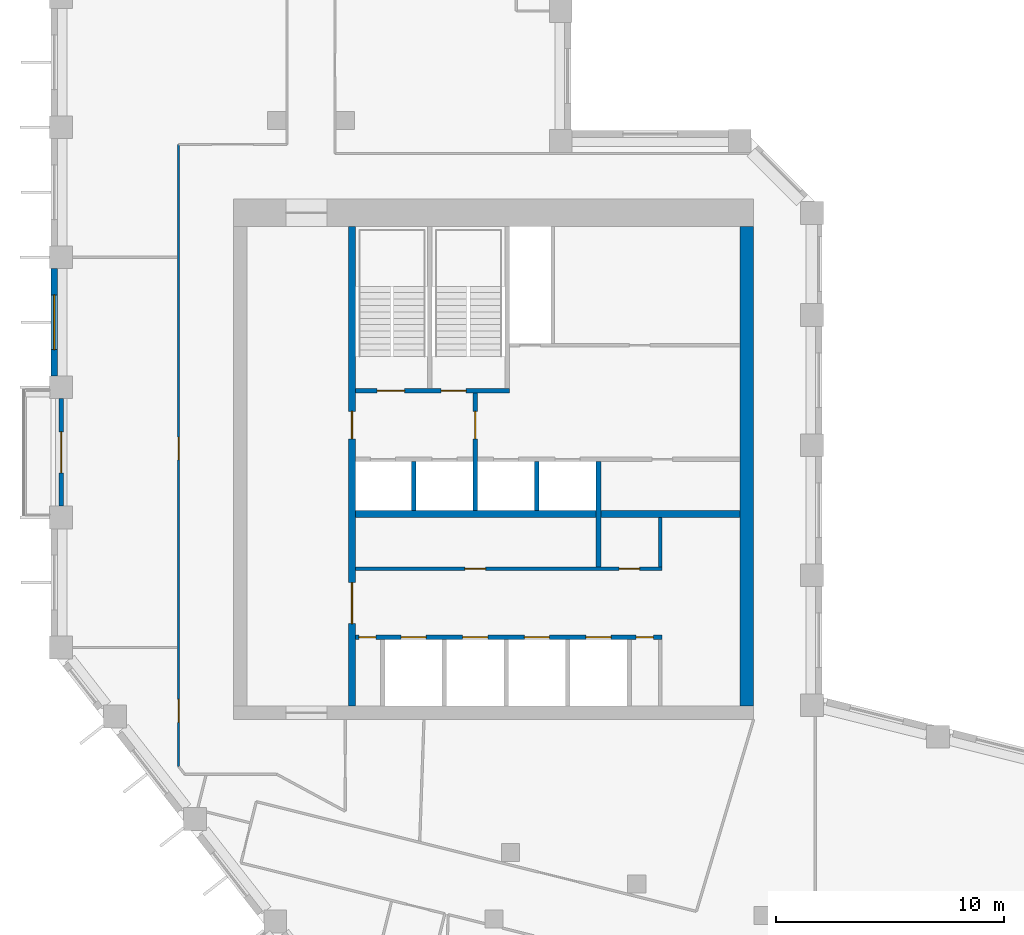
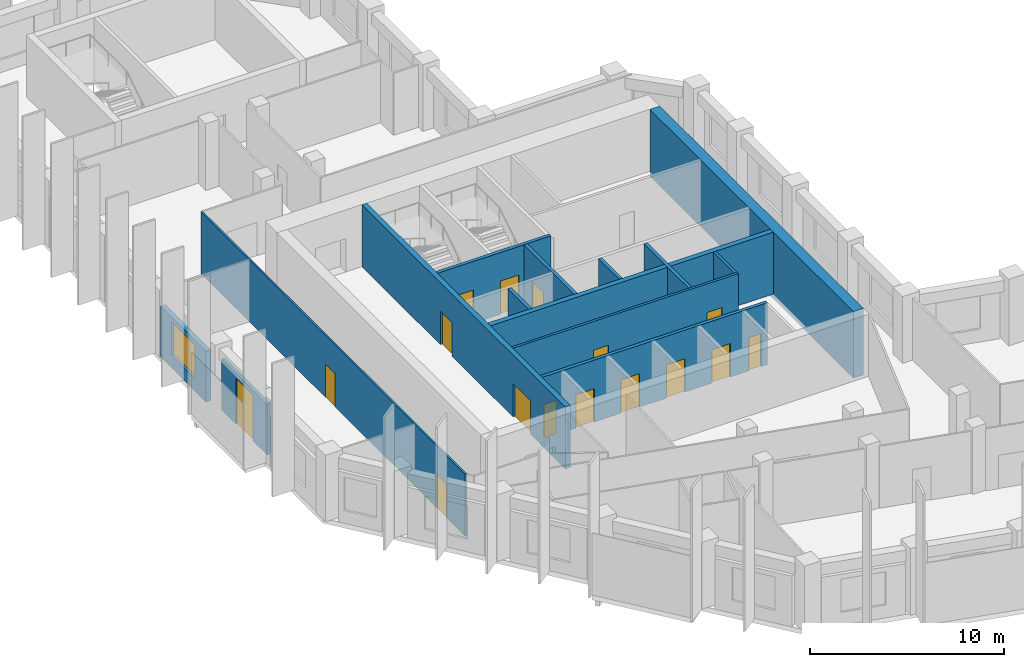
# One storey, part 5 of 9: 16 doors, 14 walls, 1 window, 17 openings.
"""IFC4 building model written with IfcOpenShell, lengths in metres."""

from ifc_helpers import new_model, si_unit, direction, frame, frame_2d, origin, place, context, subcontext, project, spatial, rectangle, extrude, material, layer, layer_set, type_object, element, fill, save


model = new_model("IFC4")

# Units and contexts
model_context = context("Model", 3, precision=1e-05, world=origin(), true_north=direction((0.0, 1.0)))
body_context = subcontext(model_context, "Body", "Model", "MODEL_VIEW")
ifc_project = project(units=[si_unit("LENGTHUNIT", "METRE"), si_unit("AREAUNIT", "SQUARE_METRE"), si_unit("VOLUMEUNIT", "CUBIC_METRE"), si_unit("PLANEANGLEUNIT", "RADIAN"), si_unit("MASSUNIT", "GRAM", prefix="KILO")], contexts=[model_context])

# Site, building, storey
site_placement = place(None, origin())
site = spatial("IfcSite", under=ifc_project, at=site_placement, CompositionType="ELEMENT")
building_placement = place(site_placement, origin())
building = spatial("IfcBuilding", under=site, at=building_placement, Name="Meshkara Civic Tower", CompositionType="ELEMENT")
storey_placement = place(building_placement, frame((0.0, 0.0, 340.199951171875)))
storey = spatial("IfcBuildingStorey", under=building, at=storey_placement, Name="L78", CompositionType="ELEMENT", Elevation=340.199951171875)

# Wall, openings, doors
ifc_material_1 = material(Name="Blockwork", Category="masonry")
ifc_layer_1 = layer(ifc_material_1, 0.14990234375)
ifc_layer_set_1 = layer_set([ifc_layer_1], Name="Core partition 150")
wall_type_1 = type_object("IfcWallType", Name="Core partition 150", PredefinedType="PARTITIONING", material=ifc_layer_set_1)
wall_1_placement = place(storey_placement, frame((13.35009765625, 20.699951171875, 0.0), z_axis=(0.0, 0.0, 1.0), x_axis=(1.0, 0.0, 0.0)))
wall_1 = element("IfcWall", 1, at=wall_1_placement, inside=storey, type_object=wall_type_1, Name="L78-C006", PredefinedType="PARTITIONING", context=body_context, shape_type="SweptSolid", body=[
    extrude(rectangle(XDim=13.4248046875, YDim=0.14990234375, at=frame_2d((6.71240234375, 0.0))), origin(), (0.0, 0.0, 1.0), 3.900146484375),
])
opening_1_placement = place(wall_1_placement, frame((4.800048828125, 0.0, 0.0)))
opening_1 = element("IfcOpeningElement", 2, at=opening_1_placement, cuts=wall_1, Name="Opening L78-K011", PredefinedType="OPENING", context=body_context, shape_type="SweptSolid", body=[
    extrude(rectangle(XDim=0.89990234375, YDim=2.10009765625, at=frame_2d((0.449951171875, 1.050048828125))), frame((0.0, 0.0849609375, 0.0), z_axis=(0.0, -1.0, 0.0), x_axis=(1.0, 0.0, 0.0)), (0.0, 0.0, 1.0), 0.169921875),
])
opening_2_placement = place(wall_1_placement, frame((11.550048828125, 0.0, 0.0)))
opening_2 = element("IfcOpeningElement", 3, at=opening_2_placement, cuts=wall_1, Name="Opening L78-K012", PredefinedType="OPENING", context=body_context, shape_type="SweptSolid", body=[
    extrude(rectangle(XDim=0.89990234375, YDim=2.10009765625, at=frame_2d((0.449951171875, 1.050048828125))), frame((0.0, 0.0849609375, 0.0), z_axis=(0.0, -1.0, 0.0), x_axis=(1.0, 0.0, 0.0)), (0.0, 0.0, 1.0), 0.169921875),
])
ifc_material_2 = material(Name="Timber door leaf in steel frame", Category="steel")
door_type_1 = type_object("IfcDoorType", Name="Core room door 900", OperationType="SINGLE_SWING_LEFT", PredefinedType="DOOR", material=ifc_material_2)
door_1_placement = place(opening_1_placement, origin())
door_1 = element("IfcDoor", 4, at=door_1_placement, inside=storey, type_object=door_type_1, Name="L78-K011", OperationType="SINGLE_SWING_RIGHT", OverallHeight=2.10009765625, OverallWidth=0.89990234375, PredefinedType="DOOR", context=body_context, shape_type="SweptSolid", body=[
    extrude(rectangle(XDim=0.89990234375, YDim=2.10009765625, at=frame_2d((0.449951171875, 1.050048828125))), frame((0.0, 0.02490234375, 0.0), z_axis=(0.0, -1.0, 0.0), x_axis=(1.0, 0.0, 0.0)), (0.0, 0.0, 1.0), 0.050048828125),
])
fill(opening_1, door_1)
door_2_placement = place(opening_2_placement, origin())
door_2 = element("IfcDoor", 5, at=door_2_placement, inside=storey, type_object=door_type_1, Name="L78-K012", OperationType="SINGLE_SWING_RIGHT", OverallHeight=2.10009765625, OverallWidth=0.89990234375, PredefinedType="DOOR", context=body_context, shape_type="SweptSolid", body=[
    extrude(rectangle(XDim=0.89990234375, YDim=2.10009765625, at=frame_2d((0.449951171875, 1.050048828125))), frame((0.0, 0.02490234375, 0.0), z_axis=(0.0, -1.0, 0.0), x_axis=(1.0, 0.0, 0.0)), (0.0, 0.0, 1.0), 0.050048828125),
])
fill(opening_2, door_2)

# Walls
wall_2_placement = place(storey_placement, frame((26.699951171875, 20.77490234375, 0.0), z_axis=(0.0, 0.0, 1.0), x_axis=(0.0, 1.0, 0.0)))
element("IfcWall", 6, at=wall_2_placement, inside=storey, type_object=wall_type_1, Name="L78-C025", PredefinedType="PARTITIONING", context=body_context, shape_type="SweptSolid", body=[
    extrude(rectangle(XDim=2.175048828125, YDim=0.14990234375, at=frame_2d((1.08740234375, 0.0))), origin(), (0.0, 0.0, 1.0), 3.900146484375),
])
ifc_material_3 = material(Name="Concrete C60", Category="concrete")
ifc_layer_2 = layer(ifc_material_3, 0.60009765625)
ifc_layer_set_2 = layer_set([ifc_layer_2], Name="Core ring wall 600 C60")
wall_type_2 = type_object("IfcWallType", Name="Core ring wall 600 C60", PredefinedType="SHEAR", material=ifc_layer_set_2)
wall_3_placement = place(storey_placement, frame((30.5, 14.699951171875, -0.300048828125), z_axis=(0.0, 0.0, 1.0), x_axis=(0.0, 1.0, 0.0)))
element("IfcWall", 7, at=wall_3_placement, inside=storey, type_object=wall_type_2, Name="L78-C004", PredefinedType="SHEAR", context=body_context, shape_type="SweptSolid", body=[
    extrude(rectangle(XDim=21.0, YDim=0.60009765625, at=frame_2d((10.5, 0.0))), origin(), (0.0, 0.0, 1.0), 4.2001953125),
])
ifc_material_4 = material(Name="Concrete C60", Category="concrete")
ifc_layer_3 = layer(ifc_material_4, 0.300048828125)
ifc_layer_set_3 = layer_set([ifc_layer_3], Name="Core shear wall 300 C60")
wall_type_3 = type_object("IfcWallType", Name="Core shear wall 300 C60", PredefinedType="SHEAR", material=ifc_layer_set_3)
wall_4_placement = place(storey_placement, frame((13.35009765625, 23.10009765625, 0.0), z_axis=(0.0, 0.0, 1.0), x_axis=(1.0, 0.0, 0.0)))
element("IfcWall", 8, at=wall_4_placement, inside=storey, type_object=wall_type_3, Name="L78-C007", PredefinedType="SHEAR", context=body_context, shape_type="SweptSolid", body=[
    extrude(rectangle(XDim=16.849853515625, YDim=0.300048828125, at=frame_2d((8.4248046875, 0.0))), origin(), (0.0, 0.0, 1.0), 3.900146484375),
])

# Wall, openings, doors
wall_5_placement = place(storey_placement, frame((13.199951171875, 14.699951171875, 0.0), z_axis=(0.0, 0.0, 1.0), x_axis=(0.0, 1.0, 0.0)))
wall_5 = element("IfcWall", 9, at=wall_5_placement, inside=storey, type_object=wall_type_3, Name="L78-C011", PredefinedType="SHEAR", context=body_context, shape_type="SweptSolid", body=[
    extrude(rectangle(XDim=21.0, YDim=0.300048828125, at=frame_2d((10.5, 0.0))), origin(), (0.0, 0.0, 1.0), 3.900146484375),
])
opening_3_placement = place(wall_5_placement, frame((3.60009765625, 0.0, 0.0)))
opening_3 = element("IfcOpeningElement", 10, at=opening_3_placement, cuts=wall_5, Name="Opening L78-K018", PredefinedType="OPENING", context=body_context, shape_type="SweptSolid", body=[
    extrude(rectangle(XDim=1.800048828125, YDim=2.10009765625, at=frame_2d((0.89990234375, 1.050048828125))), frame((0.0, 0.159912109375, 0.0), z_axis=(0.0, -1.0, 0.0), x_axis=(1.0, 0.0, 0.0)), (0.0, 0.0, 1.0), 0.320068359375),
])
opening_4_placement = place(wall_5_placement, frame((11.699951171875, 0.0, 0.0)))
opening_4 = element("IfcOpeningElement", 11, at=opening_4_placement, cuts=wall_5, Name="Opening L78-K019", PredefinedType="OPENING", context=body_context, shape_type="SweptSolid", body=[
    extrude(rectangle(XDim=1.199951171875, YDim=2.10009765625, at=frame_2d((0.60009765625, 1.050048828125))), frame((0.0, 0.159912109375, 0.0), z_axis=(0.0, -1.0, 0.0), x_axis=(1.0, 0.0, 0.0)), (0.0, 0.0, 1.0), 0.320068359375),
])
ifc_material_5 = material(Name="Fire-rated door leaf in steel frame", Category="steel")
door_type_2 = type_object("IfcDoorType", Name="Core double door 1800 EI 60", OperationType="DOUBLE_DOOR_SINGLE_SWING", PredefinedType="DOOR", material=ifc_material_5)
door_3_placement = place(opening_3_placement, origin())
door_3 = element("IfcDoor", 12, at=door_3_placement, inside=storey, type_object=door_type_2, Name="L78-K018", OperationType="DOUBLE_DOOR_SINGLE_SWING", OverallHeight=2.10009765625, OverallWidth=1.800048828125, PredefinedType="DOOR", context=body_context, shape_type="SweptSolid", body=[
    extrude(rectangle(XDim=1.800048828125, YDim=2.10009765625, at=frame_2d((0.89990234375, 1.050048828125))), frame((0.0, 0.02490234375, 0.0), z_axis=(0.0, -1.0, 0.0), x_axis=(1.0, 0.0, 0.0)), (0.0, 0.0, 1.0), 0.050048828125),
])
fill(opening_3, door_3)
ifc_material_6 = material(Name="Fire-rated door leaf in steel frame", Category="steel")
door_type_3 = type_object("IfcDoorType", Name="Fire-fighting lobby door 1200 EI 120", OperationType="SINGLE_SWING_LEFT", PredefinedType="DOOR", material=ifc_material_6)
door_4_placement = place(opening_4_placement, origin())
door_4 = element("IfcDoor", 13, at=door_4_placement, inside=storey, type_object=door_type_3, Name="L78-K019", OperationType="SINGLE_SWING_LEFT", OverallHeight=2.10009765625, OverallWidth=1.199951171875, PredefinedType="DOOR", context=body_context, shape_type="SweptSolid", body=[
    extrude(rectangle(XDim=1.199951171875, YDim=2.10009765625, at=frame_2d((0.60009765625, 1.050048828125))), frame((0.0, 0.02490234375, 0.0), z_axis=(0.0, -1.0, 0.0), x_axis=(1.0, 0.0, 0.0)), (0.0, 0.0, 1.0), 0.050048828125),
])
fill(opening_4, door_4)

ifc_material_7 = material(Name="Corridor wall 100")
ifc_layer_4 = layer(ifc_material_7, 0.10009765625)
ifc_layer_set_4 = layer_set([ifc_layer_4], Name="Corridor wall 100")
wall_type_4 = type_object("IfcWallType", Name="Corridor wall 100", PredefinedType="PARTITIONING", material=ifc_layer_set_4)
wall_6_placement = place(storey_placement, frame((5.60009765625, 39.300048828125, 0.0), z_axis=(0.0, 0.0, 1.0), x_axis=(0.0, -1.0, 0.0)))
wall_6 = element("IfcWall", 14, at=wall_6_placement, inside=storey, type_object=wall_type_4, Name="L78-W004", PredefinedType="PARTITIONING", context=body_context, shape_type="SweptSolid", body=[
    extrude(rectangle(XDim=27.256103515625, YDim=0.10009765625, at=frame_2d((13.6279296875, 0.0))), origin(), (0.0, 0.0, 1.0), 3.900146484375),
])
opening_5_placement = place(wall_6_placement, frame((24.324951171875, 0.0, 0.0)))
opening_5 = element("IfcOpeningElement", 15, at=opening_5_placement, cuts=wall_6, Name="Opening L78-D012", PredefinedType="OPENING", context=body_context, shape_type="SweptSolid", body=[
    extrude(rectangle(XDim=1.0, YDim=2.10009765625, at=frame_2d((0.5, 1.050048828125))), frame((0.0, 0.06005859375, 0.0), z_axis=(0.0, -1.0, 0.0), x_axis=(1.0, 0.0, 0.0)), (0.0, 0.0, 1.0), 0.1201171875),
])
opening_6_placement = place(wall_6_placement, frame((12.824951171875, 0.0, 0.0)))
opening_6 = element("IfcOpeningElement", 16, at=opening_6_placement, cuts=wall_6, Name="Opening L78-D014", PredefinedType="OPENING", context=body_context, shape_type="SweptSolid", body=[
    extrude(rectangle(XDim=1.0, YDim=2.10009765625, at=frame_2d((0.5, 1.050048828125))), frame((0.0, 0.06005859375, 0.0), z_axis=(0.0, -1.0, 0.0), x_axis=(1.0, 0.0, 0.0)), (0.0, 0.0, 1.0), 0.1201171875),
])
ifc_material_8 = material(Name="Door 1000 x 2100")
door_type_4 = type_object("IfcDoorType", Name="Door 1000 x 2100", OperationType="SINGLE_SWING_LEFT", PredefinedType="DOOR", material=ifc_material_8)
door_5_placement = place(opening_5_placement, origin())
door_5 = element("IfcDoor", 17, at=door_5_placement, inside=storey, type_object=door_type_4, Name="L78-D012", OperationType="SINGLE_SWING_LEFT", OverallHeight=2.10009765625, OverallWidth=1.0, PredefinedType="DOOR", context=body_context, shape_type="SweptSolid", body=[
    extrude(rectangle(XDim=1.0, YDim=2.10009765625, at=frame_2d((0.5, 1.050048828125))), frame((0.0, 0.02490234375, 0.0), z_axis=(0.0, -1.0, 0.0), x_axis=(1.0, 0.0, 0.0)), (0.0, 0.0, 1.0), 0.050048828125),
])
fill(opening_5, door_5)
door_6_placement = place(opening_6_placement, origin())
door_6 = element("IfcDoor", 18, at=door_6_placement, inside=storey, type_object=door_type_4, Name="L78-D014", OperationType="SINGLE_SWING_RIGHT", OverallHeight=2.10009765625, OverallWidth=1.0, PredefinedType="DOOR", context=body_context, shape_type="SweptSolid", body=[
    extrude(rectangle(XDim=1.0, YDim=2.10009765625, at=frame_2d((0.5, 1.050048828125))), frame((0.0, 0.02490234375, 0.0), z_axis=(0.0, -1.0, 0.0), x_axis=(1.0, 0.0, 0.0)), (0.0, 0.0, 1.0), 0.050048828125),
])
fill(opening_6, door_6)

# Wall, opening, window
ifc_material_9 = material(Name="Insulated infill panel with bronze anodised aluminium cladding", Category="aluminium")
ifc_layer_5 = layer(ifc_material_9, 0.300048828125)
ifc_layer_set_5 = layer_set([ifc_layer_5], Name="EXTERNAL INFILL WALL 300")
wall_type_5 = type_object("IfcWallType", Name="EXTERNAL INFILL WALL 300", PredefinedType="SOLIDWALL", material=ifc_layer_set_5)
wall_7_placement = place(storey_placement, frame((0.14990234375, 33.85498046875, 0.0), z_axis=(0.0, 0.0, 1.0), x_axis=(0.0, -1.0, 0.0)))
wall_7 = element("IfcWall", 19, at=wall_7_placement, inside=storey, type_object=wall_type_5, Name="External wall", PredefinedType="SOLIDWALL", context=body_context, shape_type="SweptSolid", body=[
    extrude(rectangle(XDim=4.699951171875, YDim=0.300048828125, at=frame_2d((2.35009765625, 0.0))), origin(), (0.0, 0.0, 1.0), 3.199951171875),
])
opening_7_placement = place(wall_7_placement, frame((1.14990234375, 0.0, 0.800048828125)))
opening_7 = element("IfcOpeningElement", 20, at=opening_7_placement, cuts=wall_7, Name="Opening W7", PredefinedType="OPENING", context=body_context, shape_type="SweptSolid", body=[
    extrude(rectangle(XDim=2.39990234375, YDim=2.10009765625, at=frame_2d((1.199951171875, 1.050048828125))), frame((0.0, 0.159912109375, 0.0), z_axis=(0.0, -1.0, 0.0), x_axis=(1.0, 0.0, 0.0)), (0.0, 0.0, 1.0), 0.320068359375),
])
ifc_material_10 = material(Name="Tinted double glazing", Category="glass")
window_type = type_object("IfcWindowType", Name="WINDOW 2400x2100", PartitioningType="DOUBLE_PANEL_VERTICAL", PredefinedType="WINDOW", material=ifc_material_10)
window_placement = place(opening_7_placement, origin())
window = element("IfcWindow", 21, at=window_placement, inside=storey, type_object=window_type, Name="Window", OverallHeight=2.10009765625, OverallWidth=2.39990234375, PartitioningType="DOUBLE_PANEL_VERTICAL", PredefinedType="WINDOW", context=body_context, shape_type="SweptSolid", body=[
    extrude(rectangle(XDim=2.39990234375, YDim=2.10009765625, at=frame_2d((1.199951171875, 1.050048828125))), frame((0.0, 0.030029296875, 0.0), z_axis=(0.0, -1.0, 0.0), x_axis=(1.0, 0.0, 0.0)), (0.0, 0.0, 1.0), 0.06005859375),
])
fill(opening_7, window)

# Wall, opening, door
ifc_material_11 = material(Name="Insulated infill panel with bronze anodised aluminium cladding", Category="aluminium")
ifc_layer_6 = layer(ifc_material_11, 0.199951171875)
ifc_layer_set_6 = layer_set([ifc_layer_6], Name="LOGGIA BACK WALL 200")
wall_type_6 = type_object("IfcWallType", Name="LOGGIA BACK WALL 200", PredefinedType="SOLIDWALL", material=ifc_layer_set_6)
wall_8_placement = place(storey_placement, frame((0.449951171875, 28.155029296875, 0.0), z_axis=(0.0, 0.0, 1.0), x_axis=(0.0, -1.0, 0.0)))
wall_8 = element("IfcWall", 22, at=wall_8_placement, inside=storey, type_object=wall_type_6, Name="Loggia wall", PredefinedType="SOLIDWALL", context=body_context, shape_type="SweptSolid", body=[
    extrude(rectangle(XDim=4.698974609375, YDim=0.199951171875, at=frame_2d((2.349609375, 0.0))), origin(), (0.0, 0.0, 1.0), 3.199951171875),
])
opening_8_placement = place(wall_8_placement, frame((1.449951171875, 0.0, 0.0)))
opening_8 = element("IfcOpeningElement", 23, at=opening_8_placement, cuts=wall_8, Name="Opening L78-L001", PredefinedType="OPENING", context=body_context, shape_type="SweptSolid", body=[
    extrude(rectangle(XDim=1.800048828125, YDim=2.89990234375, at=frame_2d((0.89990234375, 1.449951171875))), frame((0.0, 0.10986328125, 0.0), z_axis=(0.0, -1.0, 0.0), x_axis=(1.0, 0.0, 0.0)), (0.0, 0.0, 1.0), 0.219970703125),
])
ifc_material_12 = material(Name="Tinted double glazing", Category="glass")
door_type_5 = type_object("IfcDoorType", Name="LOGGIA DOOR 1800x2900", OperationType="DOUBLE_DOOR_SINGLE_SWING", PredefinedType="DOOR", material=ifc_material_12)
door_7_placement = place(opening_8_placement, origin())
door_7 = element("IfcDoor", 24, at=door_7_placement, inside=storey, type_object=door_type_5, Name="L78-L001", OperationType="DOUBLE_DOOR_SINGLE_SWING", OverallHeight=2.89990234375, OverallWidth=1.800048828125, PredefinedType="DOOR", context=body_context, shape_type="SweptSolid", body=[
    extrude(rectangle(XDim=1.800048828125, YDim=2.89990234375, at=frame_2d((0.89990234375, 1.449951171875))), frame((0.0, 0.02490234375, 0.0), z_axis=(0.0, -1.0, 0.0), x_axis=(1.0, 0.0, 0.0)), (0.0, 0.0, 1.0), 0.050048828125),
])
fill(opening_8, door_7)

# Wall, openings, doors
ifc_material_13 = material(Name="Concrete C40/50", Category="concrete")
ifc_layer_7 = layer(ifc_material_13, 0.199951171875)
ifc_layer_set_7 = layer_set([ifc_layer_7], Name="Shaft wall 200 C40/50")
wall_type_7 = type_object("IfcWallType", Name="Shaft wall 200 C40/50", PredefinedType="SOLIDWALL", material=ifc_layer_set_7)
wall_9_placement = place(storey_placement, frame((13.35009765625, 17.699951171875, 0.0), z_axis=(0.0, 0.0, 1.0), x_axis=(1.0, 0.0, 0.0)))
wall_9 = element("IfcWall", 25, at=wall_9_placement, inside=storey, type_object=wall_type_7, Name="L78-C005", PredefinedType="SOLIDWALL", context=body_context, shape_type="SweptSolid", body=[
    extrude(rectangle(XDim=13.4248046875, YDim=0.199951171875, at=frame_2d((6.71240234375, 0.0))), origin(), (0.0, 0.0, 1.0), 3.900146484375),
])
opening_9_placement = place(wall_9_placement, frame((2.0, 0.0, 0.0)))
opening_9 = element("IfcOpeningElement", 26, at=opening_9_placement, cuts=wall_9, Name="Opening L78-K001", PredefinedType="OPENING", context=body_context, shape_type="SweptSolid", body=[
    extrude(rectangle(XDim=1.10009765625, YDim=2.10009765625, at=frame_2d((0.550048828125, 1.050048828125))), frame((0.0, 0.10986328125, 0.0), z_axis=(0.0, -1.0, 0.0), x_axis=(1.0, 0.0, 0.0)), (0.0, 0.0, 1.0), 0.219970703125),
])
opening_10_placement = place(wall_9_placement, frame((4.699951171875, 0.0, 0.0)))
opening_10 = element("IfcOpeningElement", 27, at=opening_10_placement, cuts=wall_9, Name="Opening L78-K002", PredefinedType="OPENING", context=body_context, shape_type="SweptSolid", body=[
    extrude(rectangle(XDim=1.10009765625, YDim=2.10009765625, at=frame_2d((0.550048828125, 1.050048828125))), frame((0.0, 0.10986328125, 0.0), z_axis=(0.0, -1.0, 0.0), x_axis=(1.0, 0.0, 0.0)), (0.0, 0.0, 1.0), 0.219970703125),
])
opening_11_placement = place(wall_9_placement, frame((7.39990234375, 0.0, 0.0)))
opening_11 = element("IfcOpeningElement", 28, at=opening_11_placement, cuts=wall_9, Name="Opening L78-K003", PredefinedType="OPENING", context=body_context, shape_type="SweptSolid", body=[
    extrude(rectangle(XDim=1.10009765625, YDim=2.10009765625, at=frame_2d((0.550048828125, 1.050048828125))), frame((0.0, 0.10986328125, 0.0), z_axis=(0.0, -1.0, 0.0), x_axis=(1.0, 0.0, 0.0)), (0.0, 0.0, 1.0), 0.219970703125),
])
opening_12_placement = place(wall_9_placement, frame((10.10009765625, 0.0, 0.0)))
opening_12 = element("IfcOpeningElement", 29, at=opening_12_placement, cuts=wall_9, Name="Opening L78-K004", PredefinedType="OPENING", context=body_context, shape_type="SweptSolid", body=[
    extrude(rectangle(XDim=1.10009765625, YDim=2.10009765625, at=frame_2d((0.550048828125, 1.050048828125))), frame((0.0, 0.10986328125, 0.0), z_axis=(0.0, -1.0, 0.0), x_axis=(1.0, 0.0, 0.0)), (0.0, 0.0, 1.0), 0.219970703125),
])
opening_13_placement = place(wall_9_placement, frame((0.14990234375, 0.0, 0.0)))
opening_13 = element("IfcOpeningElement", 30, at=opening_13_placement, cuts=wall_9, Name="Opening L78-K009", PredefinedType="OPENING", context=body_context, shape_type="SweptSolid", body=[
    extrude(rectangle(XDim=0.75, YDim=2.10009765625, at=frame_2d((0.375, 1.050048828125))), frame((0.0, 0.10986328125, 0.0), z_axis=(0.0, -1.0, 0.0), x_axis=(1.0, 0.0, 0.0)), (0.0, 0.0, 1.0), 0.219970703125),
])
opening_14_placement = place(wall_9_placement, frame((12.300048828125, 0.0, 0.0)))
opening_14 = element("IfcOpeningElement", 31, at=opening_14_placement, cuts=wall_9, Name="Opening L78-K010", PredefinedType="OPENING", context=body_context, shape_type="SweptSolid", body=[
    extrude(rectangle(XDim=0.75, YDim=2.10009765625, at=frame_2d((0.375, 1.050048828125))), frame((0.0, 0.10986328125, 0.0), z_axis=(0.0, -1.0, 0.0), x_axis=(1.0, 0.0, 0.0)), (0.0, 0.0, 1.0), 0.219970703125),
])
ifc_material_14 = material(Name="Timber door leaf in steel frame", Category="steel")
door_type_6 = type_object("IfcDoorType", Name="Core room door 750", OperationType="SINGLE_SWING_LEFT", PredefinedType="DOOR", material=ifc_material_14)
door_8_placement = place(opening_13_placement, origin())
door_8 = element("IfcDoor", 32, at=door_8_placement, inside=storey, type_object=door_type_6, Name="L78-K009", OperationType="SINGLE_SWING_RIGHT", OverallHeight=2.10009765625, OverallWidth=0.75, PredefinedType="DOOR", context=body_context, shape_type="SweptSolid", body=[
    extrude(rectangle(XDim=0.75, YDim=2.10009765625, at=frame_2d((0.375, 1.050048828125))), frame((0.0, 0.02490234375, 0.0), z_axis=(0.0, -1.0, 0.0), x_axis=(1.0, 0.0, 0.0)), (0.0, 0.0, 1.0), 0.050048828125),
])
fill(opening_13, door_8)
door_9_placement = place(opening_14_placement, origin())
door_9 = element("IfcDoor", 33, at=door_9_placement, inside=storey, type_object=door_type_6, Name="L78-K010", OperationType="SINGLE_SWING_RIGHT", OverallHeight=2.10009765625, OverallWidth=0.75, PredefinedType="DOOR", context=body_context, shape_type="SweptSolid", body=[
    extrude(rectangle(XDim=0.75, YDim=2.10009765625, at=frame_2d((0.375, 1.050048828125))), frame((0.0, 0.02490234375, 0.0), z_axis=(0.0, -1.0, 0.0), x_axis=(1.0, 0.0, 0.0)), (0.0, 0.0, 1.0), 0.050048828125),
])
fill(opening_14, door_9)
ifc_material_15 = material(Name="Stainless steel landing door", Category="steel")
door_type_7 = type_object("IfcDoorType", Name="Lift landing door 1100", OperationType="SLIDING_TO_LEFT", PredefinedType="DOOR", material=ifc_material_15)
door_10_placement = place(opening_9_placement, origin())
door_10 = element("IfcDoor", 34, at=door_10_placement, inside=storey, type_object=door_type_7, Name="L78-K001", OperationType="SLIDING_TO_LEFT", OverallHeight=2.10009765625, OverallWidth=1.10009765625, PredefinedType="DOOR", context=body_context, shape_type="SweptSolid", body=[
    extrude(rectangle(XDim=1.10009765625, YDim=2.10009765625, at=frame_2d((0.550048828125, 1.050048828125))), frame((0.0, 0.02490234375, 0.0), z_axis=(0.0, -1.0, 0.0), x_axis=(1.0, 0.0, 0.0)), (0.0, 0.0, 1.0), 0.050048828125),
])
fill(opening_9, door_10)
door_11_placement = place(opening_10_placement, origin())
door_11 = element("IfcDoor", 35, at=door_11_placement, inside=storey, type_object=door_type_7, Name="L78-K002", OperationType="SLIDING_TO_LEFT", OverallHeight=2.10009765625, OverallWidth=1.10009765625, PredefinedType="DOOR", context=body_context, shape_type="SweptSolid", body=[
    extrude(rectangle(XDim=1.10009765625, YDim=2.10009765625, at=frame_2d((0.550048828125, 1.050048828125))), frame((0.0, 0.02490234375, 0.0), z_axis=(0.0, -1.0, 0.0), x_axis=(1.0, 0.0, 0.0)), (0.0, 0.0, 1.0), 0.050048828125),
])
fill(opening_10, door_11)
door_12_placement = place(opening_11_placement, origin())
door_12 = element("IfcDoor", 36, at=door_12_placement, inside=storey, type_object=door_type_7, Name="L78-K003", OperationType="SLIDING_TO_LEFT", OverallHeight=2.10009765625, OverallWidth=1.10009765625, PredefinedType="DOOR", context=body_context, shape_type="SweptSolid", body=[
    extrude(rectangle(XDim=1.10009765625, YDim=2.10009765625, at=frame_2d((0.550048828125, 1.050048828125))), frame((0.0, 0.02490234375, 0.0), z_axis=(0.0, -1.0, 0.0), x_axis=(1.0, 0.0, 0.0)), (0.0, 0.0, 1.0), 0.050048828125),
])
fill(opening_11, door_12)
door_13_placement = place(opening_12_placement, origin())
door_13 = element("IfcDoor", 37, at=door_13_placement, inside=storey, type_object=door_type_7, Name="L78-K004", OperationType="SLIDING_TO_LEFT", OverallHeight=2.10009765625, OverallWidth=1.10009765625, PredefinedType="DOOR", context=body_context, shape_type="SweptSolid", body=[
    extrude(rectangle(XDim=1.10009765625, YDim=2.10009765625, at=frame_2d((0.550048828125, 1.050048828125))), frame((0.0, 0.02490234375, 0.0), z_axis=(0.0, -1.0, 0.0), x_axis=(1.0, 0.0, 0.0)), (0.0, 0.0, 1.0), 0.050048828125),
])
fill(opening_12, door_13)

# Wall
wall_10_placement = place(storey_placement, frame((15.89990234375, 23.25, 0.0), z_axis=(0.0, 0.0, 1.0), x_axis=(0.0, 1.0, 0.0)))
element("IfcWall", 38, at=wall_10_placement, inside=storey, type_object=wall_type_7, Name="L78-C013", PredefinedType="SOLIDWALL", context=body_context, shape_type="SweptSolid", body=[
    extrude(rectangle(XDim=2.14990234375, YDim=0.199951171875, at=frame_2d((1.074951171875, 0.0))), origin(), (0.0, 0.0, 1.0), 3.900146484375),
])

# Wall, opening, door
wall_11_placement = place(storey_placement, frame((18.60009765625, 23.25, 0.0), z_axis=(0.0, 0.0, 1.0), x_axis=(0.0, 1.0, 0.0)))
wall_11 = element("IfcWall", 39, at=wall_11_placement, inside=storey, type_object=wall_type_7, Name="L78-C016", PredefinedType="SOLIDWALL", context=body_context, shape_type="SweptSolid", body=[
    extrude(rectangle(XDim=5.14990234375, YDim=0.199951171875, at=frame_2d((2.574951171875, 0.0))), origin(), (0.0, 0.0, 1.0), 3.900146484375),
])
opening_15_placement = place(wall_11_placement, frame((3.14990234375, 0.0, 0.0)))
opening_15 = element("IfcOpeningElement", 40, at=opening_15_placement, cuts=wall_11, Name="Opening L78-K020", PredefinedType="OPENING", context=body_context, shape_type="SweptSolid", body=[
    extrude(rectangle(XDim=1.199951171875, YDim=2.10009765625, at=frame_2d((0.60009765625, 1.050048828125))), frame((0.0, 0.10986328125, 0.0), z_axis=(0.0, -1.0, 0.0), x_axis=(1.0, 0.0, 0.0)), (0.0, 0.0, 1.0), 0.219970703125),
])
door_14_placement = place(opening_15_placement, origin())
door_14 = element("IfcDoor", 41, at=door_14_placement, inside=storey, type_object=door_type_3, Name="L78-K020", OperationType="SINGLE_SWING_RIGHT", OverallHeight=2.10009765625, OverallWidth=1.199951171875, PredefinedType="DOOR", context=body_context, shape_type="SweptSolid", body=[
    extrude(rectangle(XDim=1.199951171875, YDim=2.10009765625, at=frame_2d((0.60009765625, 1.050048828125))), frame((0.0, 0.02490234375, 0.0), z_axis=(0.0, -1.0, 0.0), x_axis=(1.0, 0.0, 0.0)), (0.0, 0.0, 1.0), 0.050048828125),
])
fill(opening_15, door_14)

# Walls
wall_12_placement = place(storey_placement, frame((21.300048828125, 23.25, 0.0), z_axis=(0.0, 0.0, 1.0), x_axis=(0.0, 1.0, 0.0)))
element("IfcWall", 42, at=wall_12_placement, inside=storey, type_object=wall_type_7, Name="L78-C019", PredefinedType="SOLIDWALL", context=body_context, shape_type="SweptSolid", body=[
    extrude(rectangle(XDim=2.14990234375, YDim=0.199951171875, at=frame_2d((1.074951171875, 0.0))), origin(), (0.0, 0.0, 1.0), 3.900146484375),
])
wall_13_placement = place(storey_placement, frame((24.0, 20.77490234375, 0.0), z_axis=(0.0, 0.0, 1.0), x_axis=(0.0, 1.0, 0.0)))
element("IfcWall", 43, at=wall_13_placement, inside=storey, type_object=wall_type_7, Name="L78-C022", PredefinedType="SOLIDWALL", context=body_context, shape_type="SweptSolid", body=[
    extrude(rectangle(XDim=4.625, YDim=0.199951171875, at=frame_2d((2.3125, 0.0))), origin(), (0.0, 0.0, 1.0), 3.900146484375),
])

# Wall, openings, doors
ifc_material_16 = material(Name="Concrete C40/50", Category="concrete")
ifc_layer_8 = layer(ifc_material_16, 0.199951171875)
ifc_layer_set_8 = layer_set([ifc_layer_8], Name="Stair enclosure wall 200 C40/50")
wall_type_8 = type_object("IfcWallType", Name="Stair enclosure wall 200 C40/50", PredefinedType="SOLIDWALL", material=ifc_layer_set_8)
wall_14_placement = place(storey_placement, frame((13.35009765625, 28.5, 0.0), z_axis=(0.0, 0.0, 1.0), x_axis=(1.0, 0.0, 0.0)))
wall_14 = element("IfcWall", 44, at=wall_14_placement, inside=storey, type_object=wall_type_8, Name="L78-C009", PredefinedType="SOLIDWALL", context=body_context, shape_type="SweptSolid", body=[
    extrude(rectangle(XDim=6.75, YDim=0.199951171875, at=frame_2d((3.375, 0.0))), origin(), (0.0, 0.0, 1.0), 3.900146484375),
])
opening_16_placement = place(wall_14_placement, frame((0.949951171875, 0.0, 0.0)))
opening_16 = element("IfcOpeningElement", 45, at=opening_16_placement, cuts=wall_14, Name="Opening L78-K016", PredefinedType="OPENING", context=body_context, shape_type="SweptSolid", body=[
    extrude(rectangle(XDim=1.199951171875, YDim=2.10009765625, at=frame_2d((0.60009765625, 1.050048828125))), frame((0.0, 0.10986328125, 0.0), z_axis=(0.0, -1.0, 0.0), x_axis=(1.0, 0.0, 0.0)), (0.0, 0.0, 1.0), 0.219970703125),
])
opening_17_placement = place(wall_14_placement, frame((3.75, 0.0, 0.0)))
opening_17 = element("IfcOpeningElement", 46, at=opening_17_placement, cuts=wall_14, Name="Opening L78-K017", PredefinedType="OPENING", context=body_context, shape_type="SweptSolid", body=[
    extrude(rectangle(XDim=1.10009765625, YDim=2.10009765625, at=frame_2d((0.550048828125, 1.050048828125))), frame((0.0, 0.10986328125, 0.0), z_axis=(0.0, -1.0, 0.0), x_axis=(1.0, 0.0, 0.0)), (0.0, 0.0, 1.0), 0.219970703125),
])
ifc_material_17 = material(Name="Fire-rated door leaf in steel frame", Category="steel")
door_type_8 = type_object("IfcDoorType", Name="Stair door 1100 EI 120", OperationType="SINGLE_SWING_LEFT", PredefinedType="DOOR", material=ifc_material_17)
door_15_placement = place(opening_17_placement, origin())
door_15 = element("IfcDoor", 47, at=door_15_placement, inside=storey, type_object=door_type_8, Name="L78-K017", OperationType="SINGLE_SWING_LEFT", OverallHeight=2.10009765625, OverallWidth=1.10009765625, PredefinedType="DOOR", context=body_context, shape_type="SweptSolid", body=[
    extrude(rectangle(XDim=1.10009765625, YDim=2.10009765625, at=frame_2d((0.550048828125, 1.050048828125))), frame((0.0, 0.02490234375, 0.0), z_axis=(0.0, -1.0, 0.0), x_axis=(1.0, 0.0, 0.0)), (0.0, 0.0, 1.0), 0.050048828125),
])
fill(opening_17, door_15)
ifc_material_18 = material(Name="Fire-rated door leaf in steel frame", Category="steel")
door_type_9 = type_object("IfcDoorType", Name="Stair door 1200 EI 120", OperationType="SINGLE_SWING_LEFT", PredefinedType="DOOR", material=ifc_material_18)
door_16_placement = place(opening_16_placement, origin())
door_16 = element("IfcDoor", 48, at=door_16_placement, inside=storey, type_object=door_type_9, Name="L78-K016", OperationType="SINGLE_SWING_RIGHT", OverallHeight=2.10009765625, OverallWidth=1.199951171875, PredefinedType="DOOR", context=body_context, shape_type="SweptSolid", body=[
    extrude(rectangle(XDim=1.199951171875, YDim=2.10009765625, at=frame_2d((0.60009765625, 1.050048828125))), frame((0.0, 0.02490234375, 0.0), z_axis=(0.0, -1.0, 0.0), x_axis=(1.0, 0.0, 0.0)), (0.0, 0.0, 1.0), 0.050048828125),
])
fill(opening_16, door_16)

save(model, "model.ifc")
